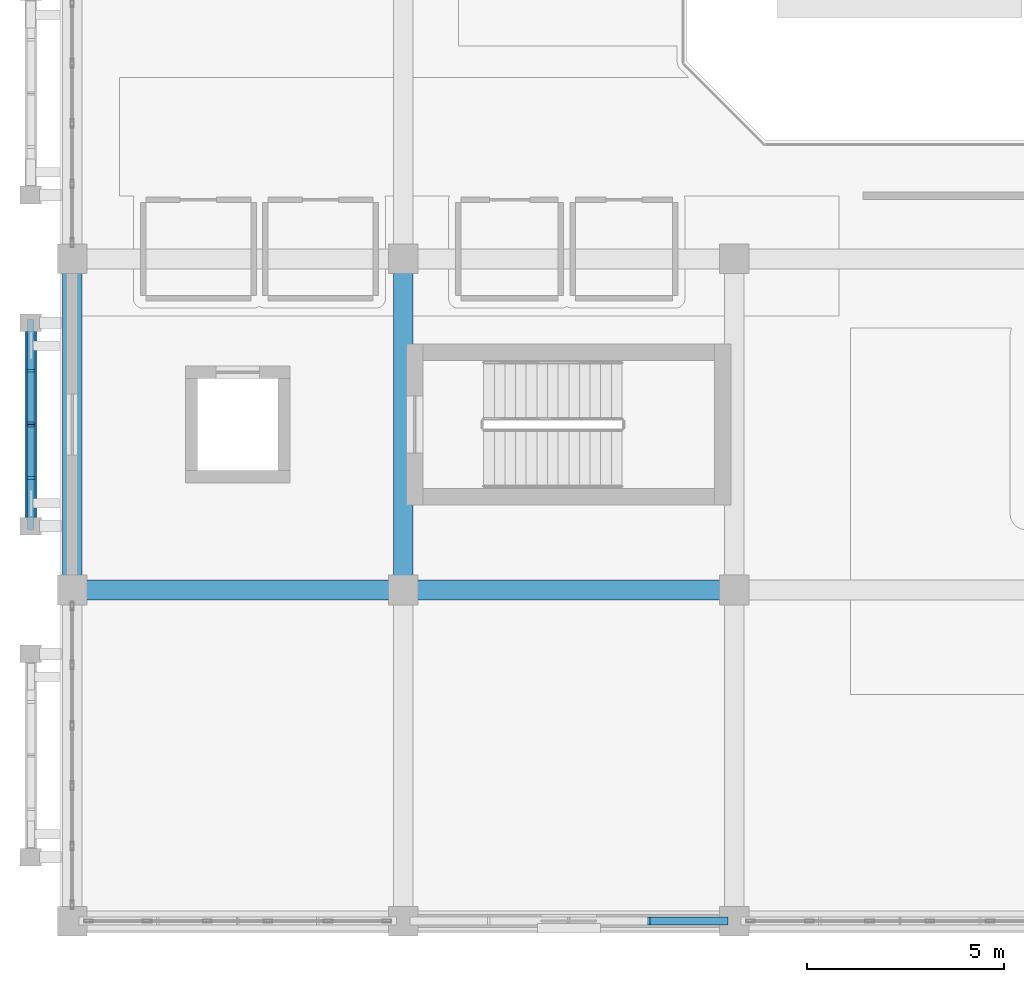
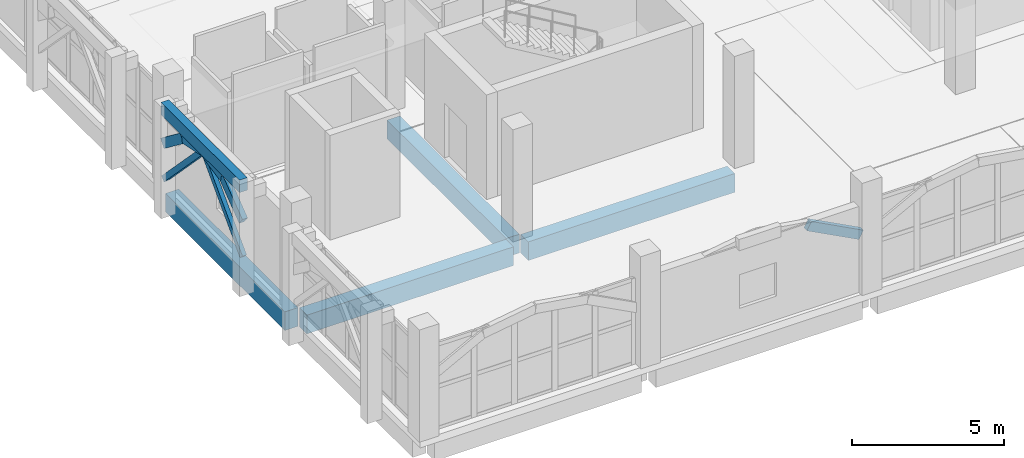
# One storey, part 4 of 34: 7 members, 5 beams.
"""IFC4 building model written with IfcOpenShell, lengths in metres."""

from ifc_helpers import new_model, si_unit, direction, frame, origin, origin_2d, place, context, subcontext, project, spatial, rectangle, extrude, material, material_profile, profile_set, type_object, element, save


model = new_model("IFC4")

# Units and contexts
model_context = context("Model", 3, precision=1e-05, world=origin(), true_north=direction((0.0, 1.0)))
body_context = subcontext(model_context, "Body", "Model", "MODEL_VIEW")
ifc_project = project(units=[si_unit("LENGTHUNIT", "METRE"), si_unit("AREAUNIT", "SQUARE_METRE"), si_unit("VOLUMEUNIT", "CUBIC_METRE"), si_unit("PLANEANGLEUNIT", "RADIAN"), si_unit("MASSUNIT", "GRAM", prefix="KILO")], contexts=[model_context])

# Site, building, storey
site_placement = place(None, origin())
site = spatial("IfcSite", under=ifc_project, at=site_placement, CompositionType="ELEMENT")
building_placement = place(site_placement, origin())
building = spatial("IfcBuilding", under=site, at=building_placement, Name="Xazarin Passage Department Store", CompositionType="ELEMENT")
storey_placement = place(building_placement, frame((0.0, 0.0, 18.89990234375)))
storey = spatial("IfcBuildingStorey", under=building, at=storey_placement, Name="L04", CompositionType="ELEMENT", Elevation=18.89990234375)

# Beams
ifc_material_1 = material(Name="Concrete C35/45", Category="concrete")
ifc_material_profile_1 = material_profile(ifc_material_1, rectangle(XDim=0.300048828125, YDim=0.5, at=origin_2d()), Name="RC 300x500")
ifc_profile_set_1 = profile_set([ifc_material_profile_1], Name="Concrete C35/45")
beam_type_1 = type_object("IfcBeamType", Name="STR-BM-LN300x500", PredefinedType="LINTEL", material=ifc_profile_set_1)
beam_placement = place(storey_placement, frame((-1.050048828125, 78.02001953125, 4.25), z_axis=(0.0, 1.0, 0.0), x_axis=(-1.0, 0.0, 0.0)))
element("IfcBeam", 1, at=beam_placement, inside=storey, type_object=beam_type_1, Name="L04 V1 Colonnade Spandrel Beam 011", PredefinedType="LINTEL", context=body_context, shape_type="SweptSolid", body=[
    extrude(rectangle(XDim=0.300048828125, YDim=0.5, at=origin_2d()), origin(), (0.0, 0.0, 1.0), 5.159912109375),
])
ifc_material_profile_2 = material_profile(ifc_material_1, rectangle(XDim=0.5, YDim=0.75, at=origin_2d()), Name="RC 500x750")
ifc_profile_set_2 = profile_set([ifc_material_profile_2], Name="Concrete C35/45")
beam_type_2 = type_object("IfcBeamType", Name="STR-BM-SP500x750", PredefinedType="SPANDREL", material=ifc_profile_set_2)
for number, where, z_axis, x_axis, name in (
    (2, (0.280029296875, 76.39990234375, -0.6748046875), (1.0, 0.0, 0.0), (0.0, 1.0, 0.0), "L04 Grid Beam L/1-2"),
    (3, (8.679931640625, 76.39990234375, -0.6748046875), (1.0, 0.0, 0.0), (0.0, 1.0, 0.0), "L04 Grid Beam L/2-3"),
    (4, (0.0, 76.679931640625, -0.6748046875), (0.0, 1.0, 0.0), (-1.0, 0.0, 0.0), "L04 Grid Beam 1/L-M"),
    (5, (8.39990234375, 76.679931640625, -0.6748046875), (0.0, 1.0, 0.0), (-1.0, 0.0, 0.0), "L04 Grid Beam 2/L-M"),
):
    element("IfcBeam", number, at=place(storey_placement, frame(where, z_axis=z_axis, x_axis=x_axis)), inside=storey, type_object=beam_type_2, Name=name, PredefinedType="SPANDREL", context=body_context, shape_type="SweptSolid", body=[
        extrude(rectangle(XDim=0.5, YDim=0.75, at=origin_2d()), origin(), (0.0, 0.0, 1.0), 7.840087890625),
    ])

# Members
ifc_material_2 = material(Name="Concrete C40/50", Category="concrete")
ifc_material_profile_3 = material_profile(ifc_material_2, rectangle(XDim=0.199951171875, YDim=0.360107421875, at=origin_2d()), Name="RC 200x360")
ifc_profile_set_3 = profile_set([ifc_material_profile_3], Name="Concrete C40/50")
member_type_1 = type_object("IfcMemberType", Name="STR-MEM-ARC360", PredefinedType="CHORD", material=ifc_profile_set_3)
member_1_placement = place(storey_placement, frame((-1.050048828125, 78.02001953125, 2.830078125), z_axis=(0.0, 0.79440903847, 0.607383140692), x_axis=(-1.0, 0.0, 0.0)))
element("IfcMember", 6, at=member_1_placement, inside=storey, type_object=member_type_1, Name="L04 V1 Pierced Lattice Curved Arch 011.1", PredefinedType="CHORD", context=body_context, shape_type="SweptSolid", body=[
    extrude(rectangle(XDim=0.199951171875, YDim=0.360107421875, at=origin_2d()), origin(), (0.0, 0.0, 1.0), 1.623779296875),
])
member_2_placement = place(storey_placement, frame((-1.050048828125, 79.31005859375, 3.81640625), z_axis=(0.0, 0.979744705887, 0.200250621188), x_axis=(-1.0, 0.0, 0.0)))
element("IfcMember", 7, at=member_2_placement, inside=storey, type_object=member_type_1, Name="L04 V1 Pierced Lattice Curved Arch 011.2", PredefinedType="CHORD", context=body_context, shape_type="SweptSolid", body=[
    extrude(rectangle(XDim=0.199951171875, YDim=0.360107421875, at=origin_2d()), origin(), (0.0, 0.0, 1.0), 1.316650390625),
])
member_3_placement = place(storey_placement, frame((-1.050048828125, 80.60009765625, 4.080078125), z_axis=(0.0, 0.979737268571, -0.2002870055), x_axis=(-1.0, 0.0, 0.0)))
element("IfcMember", 8, at=member_3_placement, inside=storey, type_object=member_type_1, Name="L04 V1 Pierced Lattice Curved Arch 011.3", PredefinedType="CHORD", context=body_context, shape_type="SweptSolid", body=[
    extrude(rectangle(XDim=0.199951171875, YDim=0.360107421875, at=origin_2d()), origin(), (0.0, 0.0, 1.0), 1.31640625),
])
member_4_placement = place(storey_placement, frame((-1.050048828125, 81.889892578125, 3.81640625), z_axis=(0.0, 0.79440903847, -0.607383140692), x_axis=(-1.0, 0.0, 0.0)))
element("IfcMember", 9, at=member_4_placement, inside=storey, type_object=member_type_1, Name="L04 V1 Pierced Lattice Curved Arch 011.4", PredefinedType="CHORD", context=body_context, shape_type="SweptSolid", body=[
    extrude(rectangle(XDim=0.199951171875, YDim=0.360107421875, at=origin_2d()), origin(), (0.0, 0.0, 1.0), 1.623779296875),
])
member_5_placement = place(storey_placement, frame((14.574951171875, 68.0, 3.2705078125), z_axis=(0.88473311603, 0.0, -0.466097965454), x_axis=(0.0, 1.0, 0.0)))
element("IfcMember", 10, at=member_5_placement, inside=storey, type_object=member_type_1, Name="L04 V1 Upper Setback Pierced Arch 021.4", PredefinedType="CHORD", context=body_context, shape_type="SweptSolid", body=[
    extrude(rectangle(XDim=0.199951171875, YDim=0.360107421875, at=origin_2d()), origin(), (0.0, 0.0, 1.0), 2.232421875),
])
ifc_material_profile_4 = material_profile(ifc_material_2, rectangle(XDim=0.159912109375, YDim=0.219970703125, at=origin_2d()), Name="RC 160x220")
ifc_profile_set_4 = profile_set([ifc_material_profile_4], Name="Concrete C40/50")
member_type_2 = type_object("IfcMemberType", Name="STR-MEM-TRC220", PredefinedType="CHORD", material=ifc_profile_set_4)
for number, where, z_axis, x_axis, name in (
    (11, (-1.050048828125, 80.60009765625, 4.080078125), (0.0, -0.693558444435, -0.720400363793), (1.0, 0.0, 0.0), "L04 V1 Upper Lattice Tracery Arch 011L"),
    (12, (-1.050048828125, 80.60009765625, 4.080078125), (0.0, 0.693524382622, -0.72043315492), (-1.0, 0.0, 0.0), "L04 V1 Upper Lattice Tracery Arch 011R"),
):
    element("IfcMember", number, at=place(storey_placement, frame(where, z_axis=z_axis, x_axis=x_axis)), inside=storey, type_object=member_type_2, Name=name, PredefinedType="CHORD", context=body_context, shape_type="SweptSolid", body=[
        extrude(rectangle(XDim=0.159912109375, YDim=0.219970703125, at=origin_2d()), origin(), (0.0, 0.0, 1.0), 3.719970703125),
    ])

save(model, "model.ifc")
